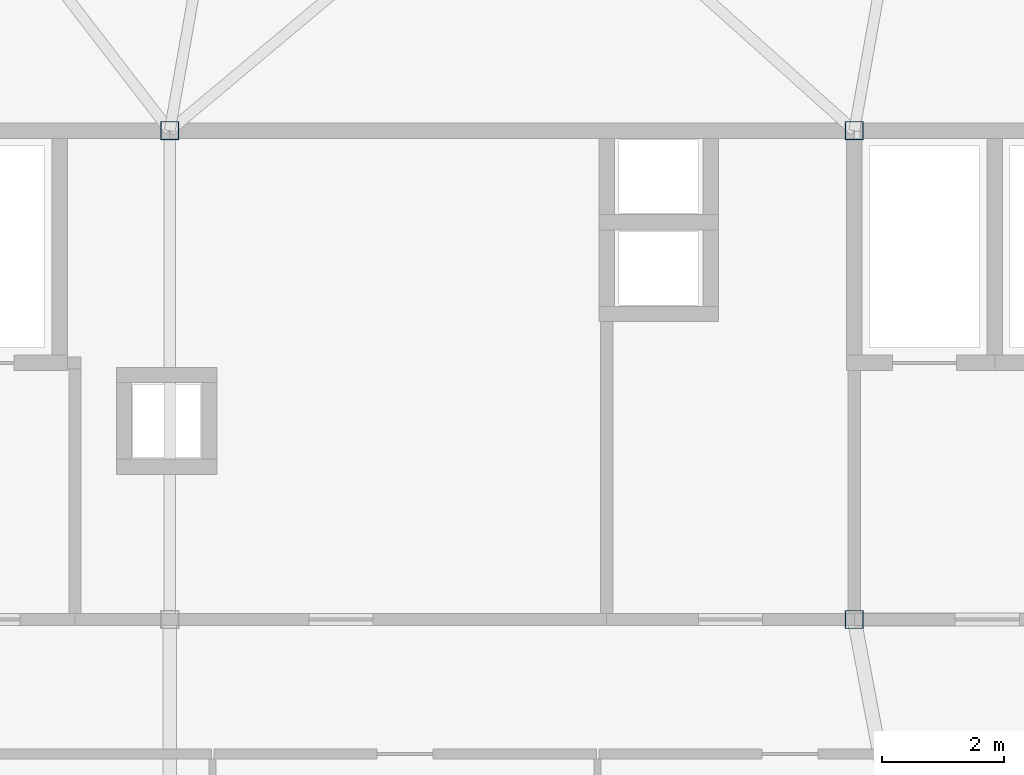
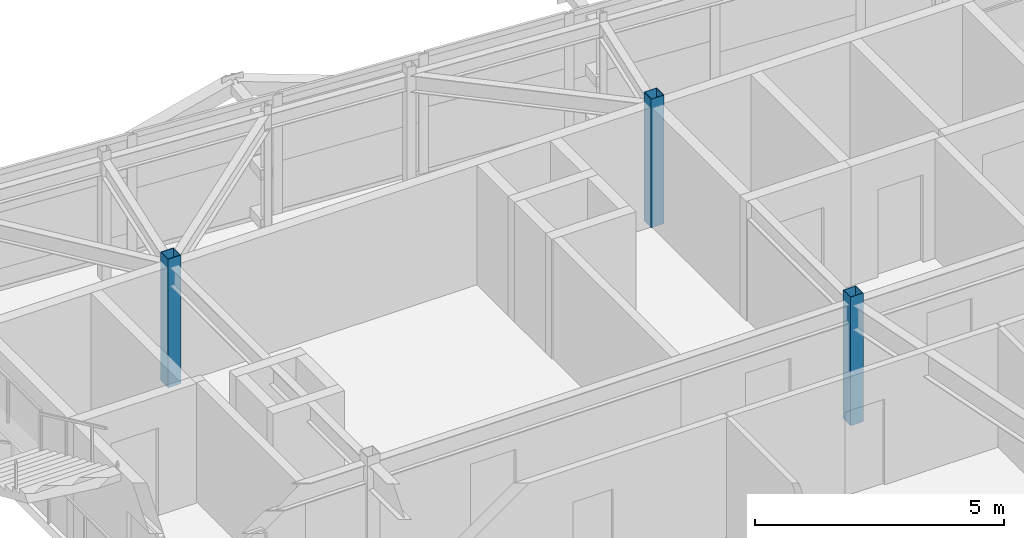
# One storey, part 4 of 42: 3 columns.
"""IFC4 building model written with IfcOpenShell, lengths in metres."""

from ifc_helpers import new_model, si_unit, direction, frame, origin, origin_2d, place, context, subcontext, project, spatial, hollow_rectangle, extrude, source, transform, mapped, material, material_profile, profile_set, type_object, element, save


model = new_model("IFC4")

# Units and contexts
model_context = context("Model", 3, precision=1e-05, world=origin(), true_north=direction((0.0, 1.0)))
body_context = subcontext(model_context, "Body", "Model", "MODEL_VIEW")
ifc_project = project(units=[si_unit("LENGTHUNIT", "METRE"), si_unit("AREAUNIT", "SQUARE_METRE"), si_unit("VOLUMEUNIT", "CUBIC_METRE"), si_unit("PLANEANGLEUNIT", "RADIAN"), si_unit("MASSUNIT", "GRAM", prefix="KILO")], contexts=[model_context])

# Site, building, storey
site_placement = place(None, origin())
site = spatial("IfcSite", under=ifc_project, at=site_placement, CompositionType="ELEMENT")
building_placement = place(site_placement, origin())
building = spatial("IfcBuilding", under=site, at=building_placement, Name="Taldren Reach Tower", CompositionType="ELEMENT")
storey_placement = place(building_placement, frame((0.0, 0.0, 220.85009765625)))
storey = spatial("IfcBuildingStorey", under=building, at=storey_placement, Name="L67", CompositionType="ELEMENT", Elevation=220.85009765625)

# Columns
ifc_material = material(Name="Steel Gr 450 (C450L0)", Category="steel")
ifc_material_profile = material_profile(ifc_material, hollow_rectangle(XDim=0.300048828125, YDim=0.300048828125, WallThickness=0.012451171875, at=origin_2d()), Name="300x300x12.5SHS")
ifc_profile_set = profile_set([ifc_material_profile], Name="Steel Gr 450 (C450L0)")
column_type = type_object("IfcColumnType", Name="COL-SHS300", PredefinedType="COLUMN", material=ifc_profile_set)
shared_shape = source(origin(), body_context, "Body", "SweptSolid", [
    extrude(hollow_rectangle(XDim=0.300048828125, YDim=0.300048828125, WallThickness=0.012451171875, at=origin_2d()), origin(), (0.0, 0.0, 1.0), 3.14990234375),
])
for number, where, z_axis, x_axis, name in (
    (1, (39.199951171875, 24.0, 0.0), (0.0, 0.0, 1.0), (1.0, 0.0, 0.0), "Mega column MC-C3 L67"),
    (2, (28.0, 32.0, 0.0), (0.0, 0.0, 1.0), (1.0, 0.0, 0.0), "Mega column MC-C6 L67"),
    (3, (39.199951171875, 32.0, 0.0), (0.0, 0.0, 1.0), (1.0, 0.0, 0.0), "Mega column MC-C7 L67"),
):
    element("IfcColumn", number, at=place(storey_placement, frame(where, z_axis=z_axis, x_axis=x_axis)), inside=storey, type_object=column_type, Name=name, PredefinedType="COLUMN", context=body_context, shape_type="MappedRepresentation", body=[
        mapped(shared_shape, transform((0.0, 0.0, 0.0), scale=1.0)),
    ])

save(model, "model.ifc")
